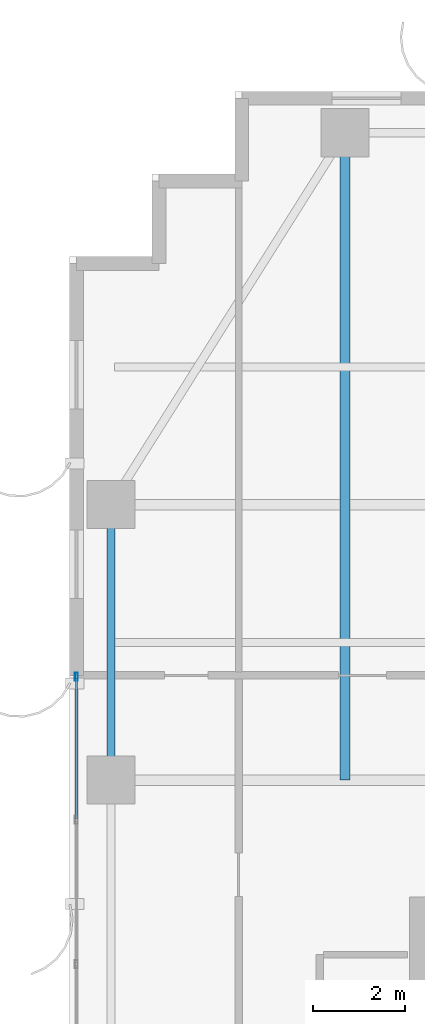
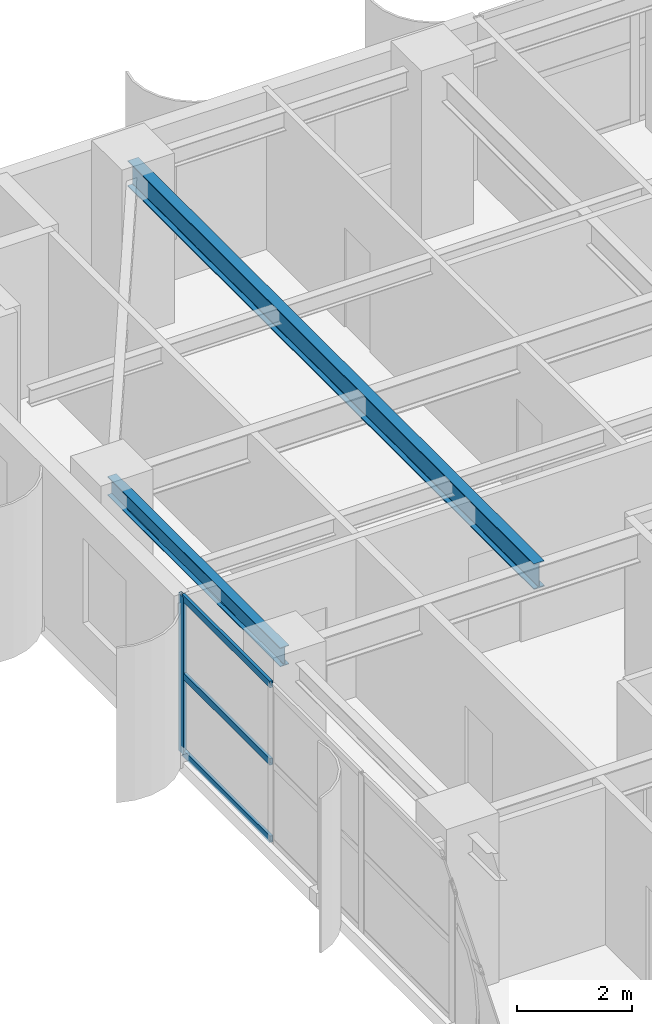
# One storey, part 8 of 25: 4 members, 2 beams, 1 element without a shape of its own.
"""IFC4 building model written with IfcOpenShell, lengths in metres."""

import ifcopenshell
import ifcopenshell.guid

model = None  # the IFC model being written
_history = None  # IfcOwnerHistory: only IFC2X3 demands one
_inside = {}  # id of a spatial element -> (the spatial element, [elements in it])
_under = {}  # id of a project, library or spatial element -> (it, [spatial elements below it])
_declared = {}  # id of a project -> (the project, [libraries it declares])
_typed = {}  # id of a type object -> (the type object, [elements of that type])
_made_of = {}  # id of a material, layer set ... -> (it, [elements and type objects made of it])


def new_model(schema):
    """Start an empty IFC model of exactly this schema.

    Asked for "IFC4X3", IfcOpenShell would pick the latest addendum, in which some entities
    have other attributes; the version numbers below select the first issue.
    IFC2X3 requires an IfcOwnerHistory on every rooted entity: one is made here for all.
    """
    global model, _history
    if schema == "IFC4X3":
        model = ifcopenshell.file(schema_version=(4, 3, 0, 0))
    else:
        model = ifcopenshell.file(schema=schema)
    _inside.clear()
    _under.clear()
    _declared.clear()
    _typed.clear()
    _made_of.clear()
    _history = None
    if model.schema == "IFC2X3":
        org = make("IfcOrganization", Name="unknown")
        user = make(
            "IfcPersonAndOrganization",
            ThePerson=make("IfcPerson", FamilyName="unknown"),
            TheOrganization=org,
        )
        app = make(
            "IfcApplication",
            ApplicationDeveloper=org,
            Version="unknown",
            ApplicationFullName="unknown",
            ApplicationIdentifier="unknown",
        )
        _history = make(
            "IfcOwnerHistory",
            OwningUser=user,
            OwningApplication=app,
            ChangeAction="ADDED",
            CreationDate=0,
        )
    return model


def make(cls, **values):
    """One entity of the class cls with the attributes given. An attribute that is None is left unset."""
    return model.create_entity(
        cls, **{name: value for name, value in values.items() if value is not None}
    )


def rooted(cls, **values):
    """An entity with a GlobalId (a new one), such as an element, a storey or a relation."""
    return make(cls, GlobalId=ifcopenshell.guid.new(), OwnerHistory=_history, **values)


def si_unit(unit_type, name, prefix=None):
    """IfcSIUnit, for example si_unit("LENGTHUNIT", "METRE", prefix="MILLI")."""
    return make("IfcSIUnit", UnitType=unit_type, Prefix=prefix, Name=name)


def assignment(units):
    """IfcUnitAssignment: the units of a project."""
    return None if units is None else make("IfcUnitAssignment", Units=units)


def point(xyz):
    """IfcCartesianPoint."""
    return None if xyz is None else make("IfcCartesianPoint", Coordinates=xyz)


def direction(xyz):
    """IfcDirection."""
    return None if xyz is None else make("IfcDirection", DirectionRatios=xyz)


def frame(location, z_axis=None, x_axis=None):
    """IfcAxis2Placement3D, a coordinate frame: its origin and axes. An axis left out is left unset."""
    return make(
        "IfcAxis2Placement3D",
        Location=point(location),
        Axis=direction(z_axis),
        RefDirection=direction(x_axis),
    )


def frame_2d(location, x_axis=None):
    """IfcAxis2Placement2D, a coordinate frame in the plane: its origin and x axis."""
    return make(
        "IfcAxis2Placement2D", Location=point(location), RefDirection=direction(x_axis)
    )


def origin():
    """The frame at (0, 0, 0) with its axes left unset."""
    return frame((0.0, 0.0, 0.0))


def origin_2d():
    """The frame at (0, 0) in the plane with its x axis left unset."""
    return frame_2d((0.0, 0.0))


def place(relative_to, where):
    """IfcLocalPlacement: puts the frame where relative to a parent placement (None: the world)."""
    return make(
        "IfcLocalPlacement", PlacementRelTo=relative_to, RelativePlacement=where
    )


def context(
    kind, dimensions, precision=None, world=None, true_north=None, identifier=None
):
    """IfcGeometricRepresentationContext, for example the 3D "Model" context."""
    return make(
        "IfcGeometricRepresentationContext",
        ContextIdentifier=identifier,
        ContextType=kind,
        CoordinateSpaceDimension=dimensions,
        Precision=precision,
        WorldCoordinateSystem=world,
        TrueNorth=true_north,
    )


def subcontext(parent, identifier, kind, view, scale=None):
    """IfcGeometricRepresentationSubContext, for example "Body" below "Model"."""
    return make(
        "IfcGeometricRepresentationSubContext",
        ContextIdentifier=identifier,
        ContextType=kind,
        ParentContext=parent,
        TargetScale=scale,
        TargetView=view,
    )


def project(units=None, contexts=None):
    """IfcProject with its units and contexts."""
    return rooted(
        "IfcProject",
        Name="project",
        RepresentationContexts=contexts,
        UnitsInContext=assignment(units),
    )


def spatial(cls, under=None, at=None, **own):
    """A site, building, storey or space (cls), placed at a placement, below another one or the project."""
    s = rooted(cls, ObjectPlacement=at, **own)
    if under is not None:
        _under.setdefault(under.id(), (under, []))[1].append(s)
    return s


def profile(cls, at=None, kind="AREA", **sizes):
    """A parametric profile (cls). Its sizes go by their IFC names, for example OverallWidth=200.0."""
    return make(cls, ProfileType=kind, Position=at, **sizes)


def hollow_rectangle(**sizes):
    """IfcRectangleHollowProfileDef."""
    return profile("IfcRectangleHollowProfileDef", **sizes)


def i_section(**sizes):
    """IfcIShapeProfileDef."""
    return profile("IfcIShapeProfileDef", **sizes)


def extrude(swept, where, along, depth):
    """IfcExtrudedAreaSolid: the profile swept, set in the frame where, extruded along a direction by depth."""
    return make(
        "IfcExtrudedAreaSolid",
        SweptArea=swept,
        Position=where,
        ExtrudedDirection=direction(along),
        Depth=depth,
    )


def shape(context_of_items, identifier, shape_type, items):
    """IfcShapeRepresentation: the items that make up one representation, for example the "Body"."""
    return make(
        "IfcShapeRepresentation",
        ContextOfItems=context_of_items,
        RepresentationIdentifier=identifier,
        RepresentationType=shape_type,
        Items=items,
    )


def source(mapping_origin, context_of_items, identifier, shape_type, items):
    """IfcRepresentationMap: a shape defined once, which mapped items show again and again."""
    return make(
        "IfcRepresentationMap",
        MappingOrigin=mapping_origin,
        MappedRepresentation=shape(context_of_items, identifier, shape_type, items),
    )


def transform(
    local_origin,
    x_axis=None,
    y_axis=None,
    z_axis=None,
    scale=None,
    scale2=None,
    scale3=None,
    uniform=True,
):
    """IfcCartesianTransformationOperator3D, or its non-uniform kind. x_axis, y_axis, z_axis: its Axis1, 2, 3."""
    if uniform:
        return make(
            "IfcCartesianTransformationOperator3D",
            Axis1=direction(x_axis),
            Axis2=direction(y_axis),
            LocalOrigin=point(local_origin),
            Scale=scale,
            Axis3=direction(z_axis),
        )
    return make(
        "IfcCartesianTransformationOperator3DnonUniform",
        Axis1=direction(x_axis),
        Axis2=direction(y_axis),
        LocalOrigin=point(local_origin),
        Scale=scale,
        Axis3=direction(z_axis),
        Scale2=scale2,
        Scale3=scale3,
    )


def mapped(mapping_source, mapping_target):
    """IfcMappedItem: shows the shape of a source again, moved by a transform."""
    return make(
        "IfcMappedItem", MappingSource=mapping_source, MappingTarget=mapping_target
    )


def material(Name=None, Category=None):
    """IfcMaterial."""
    return make("IfcMaterial", Name=Name, Category=Category)


def layer(
    of_material, thickness, ventilated=None, Name=None, Category=None, Priority=None
):
    """IfcMaterialLayer: one layer of a wall or slab, of a material (None: an air gap)."""
    return make(
        "IfcMaterialLayer",
        Material=of_material,
        LayerThickness=thickness,
        IsVentilated=ventilated,
        Name=Name,
        Category=Category,
        Priority=Priority,
    )


def layer_set(layers, Name=None):
    """IfcMaterialLayerSet."""
    return make("IfcMaterialLayerSet", MaterialLayers=layers, LayerSetName=Name)


def material_profile(
    of_material, cross_section, Name=None, Category=None, Priority=None
):
    """IfcMaterialProfile: a cross section and its material."""
    return make(
        "IfcMaterialProfile",
        Name=Name,
        Material=of_material,
        Profile=cross_section,
        Priority=Priority,
        Category=Category,
    )


def profile_set(profiles, Name=None, composite=None):
    """IfcMaterialProfileSet."""
    return make(
        "IfcMaterialProfileSet",
        Name=Name,
        MaterialProfiles=profiles,
        CompositeProfile=composite,
    )


def made_of(thing, what):
    """Note that an element or type object is made of a material, layer set ...; save() writes the relation."""
    if what is not None:
        _made_of.setdefault(what.id(), (what, []))[1].append(thing)
    return thing


def type_object(cls, material=None, **own):
    """A type object (cls), such as IfcWallType, which elements share."""
    return made_of(rooted(cls, **own), material)


def element(
    cls,
    number,
    at=None,
    inside=None,
    cuts=None,
    type_object=None,
    material=None,
    context=None,
    identifier="Body",
    shape_type=None,
    held_by="IfcProductDefinitionShape",
    body=None,
    shapes=None,
    **own,
):
    """One element of the class cls, such as IfcWall. Its Tag is "e" and its number.

    at: its placement. inside: the storey or other place that contains it. cuts: it is an
    opening in that element (IfcRelVoidsElement). A single representation is given by context,
    identifier, shape_type and body (its items); several are given by shapes. held_by: the class
    of the entity that holds the representations. save() writes the other relations.
    """
    e = rooted(cls, Tag="e%d" % number, ObjectPlacement=at, **own)
    if body is not None:
        shapes = [shape(context, identifier, shape_type, body)]
    if shapes is not None:
        e.Representation = make(held_by, Representations=shapes)
    if inside is not None:
        _inside.setdefault(inside.id(), (inside, []))[1].append(e)
    if cuts is not None:
        rooted(
            "IfcRelVoidsElement", RelatingBuildingElement=cuts, RelatedOpeningElement=e
        )
    if type_object is not None:
        _typed.setdefault(type_object.id(), (type_object, []))[1].append(e)
    return made_of(e, material)


def aggregate(whole, parts):
    """IfcRelAggregates: a whole, such as a stair, and the parts it consists of."""
    return rooted("IfcRelAggregates", RelatingObject=whole, RelatedObjects=parts)


def save(model, path):
    """Write the relations noted so far, then the file.

    IfcRelAggregates (storeys below a building ...), IfcRelContainedInSpatialStructure (elements
    in a storey), IfcRelDefinesByType, IfcRelAssociatesMaterial and IfcRelDeclares: one each for
    every whole, place, type object, material and project.
    """
    for whole, parts in _under.values():
        aggregate(whole, parts)
    for where, things in _inside.values():
        rooted(
            "IfcRelContainedInSpatialStructure",
            RelatedElements=things,
            RelatingStructure=where,
        )
    for kind, things in _typed.values():
        rooted("IfcRelDefinesByType", RelatedObjects=things, RelatingType=kind)
    for what, things in _made_of.values():
        rooted("IfcRelAssociatesMaterial", RelatedObjects=things, RelatingMaterial=what)
    for by, libraries in _declared.values():
        rooted("IfcRelDeclares", RelatingContext=by, RelatedDefinitions=libraries)
    model.write(path)


model = new_model("IFC4")

# Units and contexts
model_context = context("Model", 3, precision=1e-05, world=origin(), true_north=direction((0.0, 1.0)))
body_context = subcontext(model_context, "Body", "Model", "MODEL_VIEW")
ifc_project = project(units=[si_unit("LENGTHUNIT", "METRE"), si_unit("AREAUNIT", "SQUARE_METRE"), si_unit("VOLUMEUNIT", "CUBIC_METRE"), si_unit("PLANEANGLEUNIT", "RADIAN"), si_unit("MASSUNIT", "GRAM", prefix="KILO")], contexts=[model_context])

# Site, building, storey
site_placement = place(None, origin())
site = spatial("IfcSite", under=ifc_project, at=site_placement, CompositionType="ELEMENT")
building_placement = place(site_placement, origin())
building = spatial("IfcBuilding", under=site, at=building_placement, Name="Khoralis Quay Care Tower", CompositionType="ELEMENT")
storey_placement = place(building_placement, frame((0.0, 0.0, 134.10009765625)))
storey = spatial("IfcBuildingStorey", under=building, at=storey_placement, Name="L35", CompositionType="ELEMENT", Elevation=134.10009765625)

# Beams
ifc_material_1 = material(Name="Steel S355", Category="steel")
ifc_material_profile_1 = material_profile(ifc_material_1, i_section(OverallWidth=0.179931640625, OverallDepth=0.39990234375, WebThickness=0.008544921875, FlangeThickness=0.013427734375, FilletRadius=0.02099609375, at=origin_2d()), Name="Steel S355")
ifc_profile_set_1 = profile_set([ifc_material_profile_1], Name="Steel S355")
beam_type_1 = type_object("IfcBeamType", Name="BM-IPE400", PredefinedType="SPANDREL", material=ifc_profile_set_1)
shared_shape_1 = source(origin(), body_context, "Body", "SweptSolid", [
    extrude(i_section(OverallWidth=0.179931640625, OverallDepth=0.39990234375, WebThickness=0.008544921875, FlangeThickness=0.013427734375, FilletRadius=0.02099609375, at=origin_2d()), origin(), (0.0, 0.0, 1.0), 6.0),
])
beam_1_placement = place(storey_placement, frame((0.89990234375, 30.0, 3.139892578125), z_axis=(0.0, 1.0, 0.0), x_axis=(-1.0, 0.0, 0.0)))
element("IfcBeam", 1, at=beam_1_placement, inside=storey, type_object=beam_type_1, Name="BM-TSP-L35-15", PredefinedType="SPANDREL", context=body_context, shape_type="MappedRepresentation", body=[
    mapped(shared_shape_1, transform((0.0, 0.0, 0.0), scale=1.0)),
])
ifc_material_profile_2 = material_profile(ifc_material_1, i_section(OverallWidth=0.2119140625, OverallDepth=0.5439453125, WebThickness=0.01318359375, FlangeThickness=0.021240234375, FilletRadius=0.01611328125, at=origin_2d()), Name="Steel S355")
ifc_profile_set_2 = profile_set([ifc_material_profile_2], Name="Steel S355")
beam_type_2 = type_object("IfcBeamType", Name="BM-W530X123", PredefinedType="BEAM", material=ifc_profile_set_2)
shared_shape_2 = source(origin(), body_context, "Body", "SweptSolid", [
    extrude(i_section(OverallWidth=0.2119140625, OverallDepth=0.5439453125, WebThickness=0.01318359375, FlangeThickness=0.021240234375, FilletRadius=0.01611328125, at=origin_2d()), origin(), (0.0, 0.0, 1.0), 14.10009765625),
])
beam_2_placement = place(storey_placement, frame((6.0, 30.0, 3.06787109375), z_axis=(0.0, 1.0, 0.0), x_axis=(-1.0, 0.0, 0.0)))
element("IfcBeam", 2, at=beam_2_placement, inside=storey, type_object=beam_type_2, Name="BM-TGYN-L35-60", PredefinedType="BEAM", context=body_context, shape_type="MappedRepresentation", body=[
    mapped(shared_shape_2, transform((0.0, 0.0, 0.0), scale=1.0)),
])

# Curtain wall, members
ifc_material_2 = material(Name="Pale anodised aluminium", Category="aluminium")
ifc_layer = layer(ifc_material_2, 0.169921875)
ifc_layer_set = layer_set([ifc_layer], Name="Pale anodised aluminium")
curtain_wall_type = type_object("IfcCurtainWallType", Name="CW-SYS-Z2", PredefinedType="NOTDEFINED", material=ifc_layer_set)
curtain_wall_placement = place(storey_placement, origin())
curtain_wall = element("IfcCurtainWall", 3, at=curtain_wall_placement, inside=storey, type_object=curtain_wall_type, Name="L35 Unitised Curtain Wall CW-L35-P1-E15", PredefinedType="NOTDEFINED")
ifc_material_profile_3 = material_profile(ifc_material_2, hollow_rectangle(XDim=0.06005859375, YDim=0.139892578125, WallThickness=0.00390625, at=origin_2d()), Name="Pale anodised aluminium")
ifc_profile_set_3 = profile_set([ifc_material_profile_3], Name="Pale anodised aluminium")
member_type_1 = type_object("IfcMemberType", Name="CW-TRN-140", PredefinedType="USERDEFINED", material=ifc_profile_set_3)
shared_shape_3 = source(origin(), body_context, "Body", "SweptSolid", [
    extrude(hollow_rectangle(XDim=0.06005859375, YDim=0.139892578125, WallThickness=0.00390625, at=origin_2d()), origin(), (0.0, 0.0, 1.0), 3.054931640625),
])
member_1_placement = place(storey_placement, frame((0.14990234375, 32.219970703125, 0.02978515625), z_axis=(0.0, -1.0, 0.0), x_axis=(1.0, 0.0, 0.0)))
member_1 = element("IfcMember", 4, at=member_1_placement, type_object=member_type_1, Name="CW2 transom 1.1", ObjectType="TRANSOM", PredefinedType="USERDEFINED", context=body_context, shape_type="MappedRepresentation", body=[
    mapped(shared_shape_3, transform((0.0, 0.0, 0.0), scale=1.0)),
])
member_2_placement = place(storey_placement, frame((0.14990234375, 32.219970703125, 1.669921875), z_axis=(0.0, -1.0, 0.0), x_axis=(1.0, 0.0, 0.0)))
member_2 = element("IfcMember", 5, at=member_2_placement, type_object=member_type_1, Name="CW2 transom 1.2", ObjectType="TRANSOM", PredefinedType="USERDEFINED", context=body_context, shape_type="MappedRepresentation", body=[
    mapped(shared_shape_3, transform((0.0, 0.0, 0.0), scale=1.0)),
])
member_3_placement = place(storey_placement, frame((0.14990234375, 32.219970703125, 3.309814453125), z_axis=(0.0, -1.0, 0.0), x_axis=(1.0, 0.0, 0.0)))
member_3 = element("IfcMember", 6, at=member_3_placement, type_object=member_type_1, Name="CW2 transom 1.3", ObjectType="TRANSOM", PredefinedType="USERDEFINED", context=body_context, shape_type="MappedRepresentation", body=[
    mapped(shared_shape_3, transform((0.0, 0.0, 0.0), scale=1.0)),
])
ifc_material_profile_4 = material_profile(ifc_material_2, hollow_rectangle(XDim=0.06494140625, YDim=0.179931640625, WallThickness=0.00390625, at=origin_2d()), Name="Pale anodised aluminium")
ifc_profile_set_4 = profile_set([ifc_material_profile_4], Name="Pale anodised aluminium")
member_type_2 = type_object("IfcMemberType", Name="CW-MUL-180", PredefinedType="MULLION", material=ifc_profile_set_4)
shared_shape_4 = source(origin(), body_context, "Body", "SweptSolid", [
    extrude(hollow_rectangle(XDim=0.06494140625, YDim=0.179931640625, WallThickness=0.00390625, at=origin_2d()), origin(), (0.0, 0.0, 1.0), 3.33984375),
])
member_4_placement = place(storey_placement, frame((0.14990234375, 32.25, 0.0), z_axis=(0.0, 0.0, 1.0), x_axis=(1.0, 0.0, 0.0)))
member_4 = element("IfcMember", 7, at=member_4_placement, type_object=member_type_2, Name="CW2 mullion 1", PredefinedType="MULLION", context=body_context, shape_type="MappedRepresentation", body=[
    mapped(shared_shape_4, transform((0.0, 0.0, 0.0), scale=1.0)),
])
aggregate(curtain_wall, [member_4, member_1, member_2, member_3])

save(model, "model.ifc")
